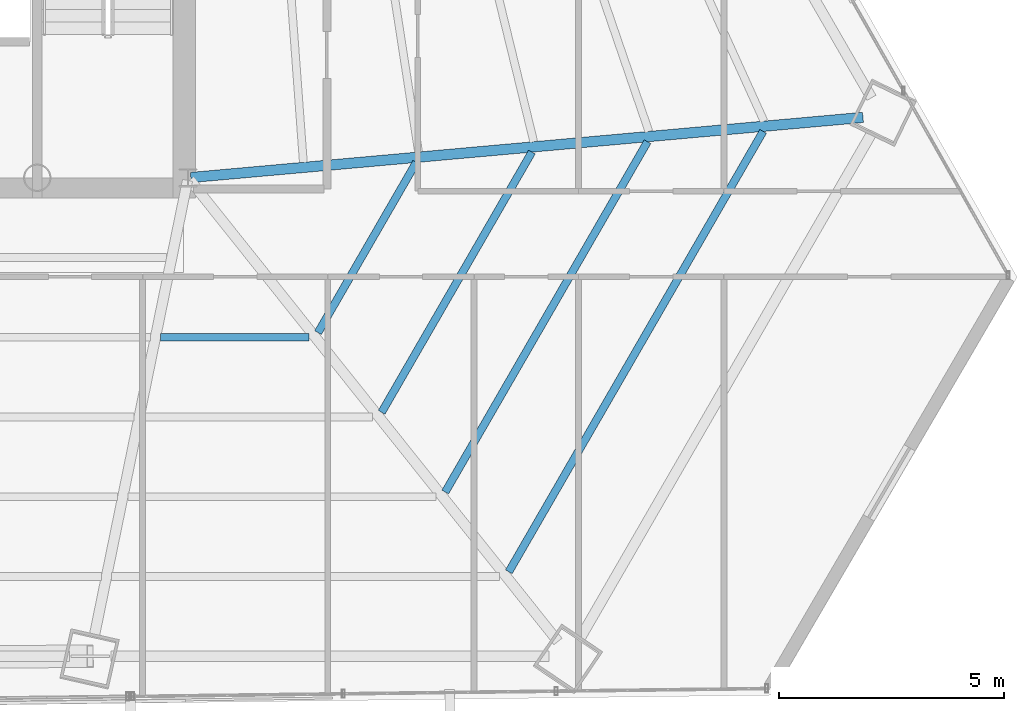
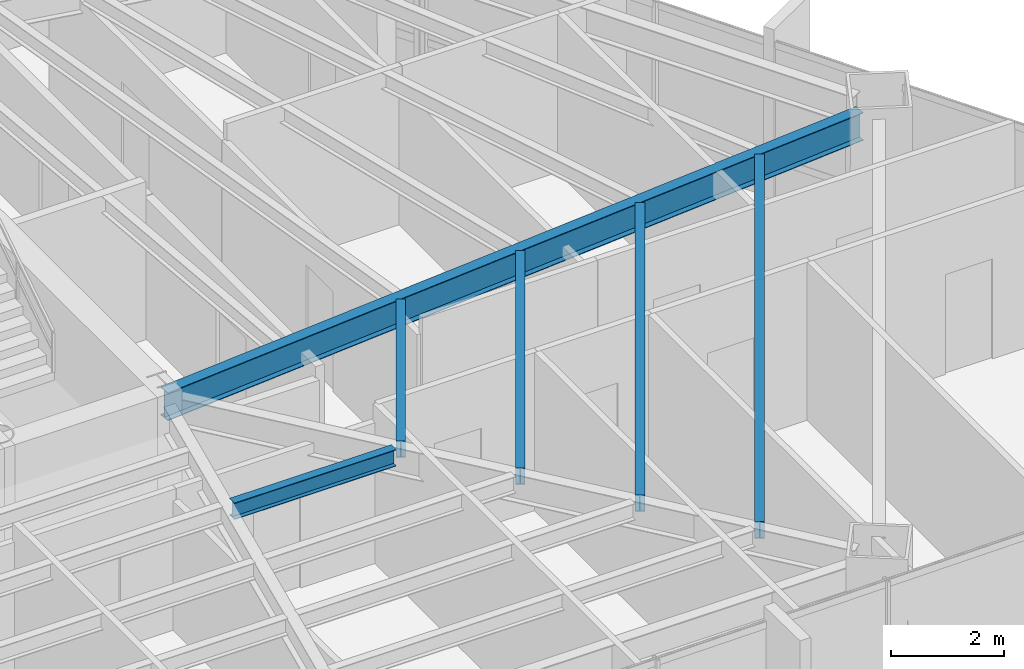
# One storey, part 17 of 35: 6 beams.
"""IFC4 building model written with IfcOpenShell, lengths in metres."""

from ifc_helpers import new_model, si_unit, direction, frame, origin, origin_2d, place, context, subcontext, project, spatial, i_section, extrude, source, transform, mapped, material, material_profile, profile_set, type_object, type_shapes, element, save


model = new_model("IFC4")

# Units and contexts
model_context = context("Model", 3, precision=1e-05, world=origin(), true_north=direction((0.0, 1.0)))
body_context = subcontext(model_context, "Body", "Model", "MODEL_VIEW")
ifc_project = project(units=[si_unit("LENGTHUNIT", "METRE"), si_unit("AREAUNIT", "SQUARE_METRE"), si_unit("VOLUMEUNIT", "CUBIC_METRE"), si_unit("PLANEANGLEUNIT", "RADIAN"), si_unit("MASSUNIT", "GRAM", prefix="KILO")], contexts=[model_context])

# Site, building, storey
site_placement = place(None, origin())
site = spatial("IfcSite", under=ifc_project, at=site_placement, CompositionType="ELEMENT")
building_placement = place(site_placement, origin())
building = spatial("IfcBuilding", under=site, at=building_placement, Name="Caelisora Broadcast Tower", CompositionType="ELEMENT")
storey_placement = place(building_placement, frame((0.0, 0.0, 123.64990234375)))
storey = spatial("IfcBuildingStorey", under=building, at=storey_placement, Name="L32", CompositionType="ELEMENT", Elevation=123.64990234375)

# Beams
ifc_material = material(Name="Steel Grade 350 (AS/NZS 3679.1)", Category="steel")
ifc_material_profile_1 = material_profile(ifc_material, i_section(OverallWidth=0.22802734375, OverallDepth=0.602294921875, WebThickness=0.010498046875, FlangeThickness=0.014892578125, at=origin_2d()), Name="Steel Grade 350 (AS/NZS 3679.1)")
ifc_profile_set_1 = profile_set([ifc_material_profile_1], Name="Steel Grade 350 (AS/NZS 3679.1)")
beam_type_1 = type_object("IfcBeamType", Name="PG04", PredefinedType="BEAM", material=ifc_profile_set_1)
shared_shape_1 = source(origin(), body_context, "Body", "SweptSolid", [
    extrude(i_section(OverallWidth=0.22802734375, OverallDepth=0.602294921875, WebThickness=0.010498046875, FlangeThickness=0.014892578125, at=origin_2d()), origin(), (0.0, 0.0, 1.0), 14.986572265625),
])
type_shapes(beam_type_1, [shared_shape_1])
beam_1_placement = place(storey_placement, frame((45.559814453125, 17.4052734375, 3.098876953125), z_axis=(0.996024733361, 0.089077104431, 0.0), x_axis=(-0.089077104431, 0.996024733361, 0.0)))
element("IfcBeam", 1, at=beam_1_placement, inside=storey, type_object=beam_type_1, Name="L32 beam PG04", PredefinedType="BEAM", context=body_context, shape_type="MappedRepresentation", body=[
    mapped(shared_shape_1, transform((0.0, 0.0, 0.0), scale=1.0)),
])
ifc_material_profile_2 = material_profile(ifc_material, i_section(OverallWidth=0.172119140625, OverallDepth=0.358642578125, WebThickness=0.008056640625, FlangeThickness=0.012939453125, at=origin_2d()), Name="Steel Grade 350 (AS/NZS 3679.1)")
ifc_profile_set_2 = profile_set([ifc_material_profile_2], Name="Steel Grade 350 (AS/NZS 3679.1)")
beam_type_2 = type_object("IfcBeamType", Name="SB02", PredefinedType="JOIST", material=ifc_profile_set_2)
shared_shape_2 = source(origin(), body_context, "Body", "SweptSolid", [
    extrude(i_section(OverallWidth=0.172119140625, OverallDepth=0.358642578125, WebThickness=0.008056640625, FlangeThickness=0.012939453125, at=origin_2d()), origin(), (0.0, 0.0, 1.0), 4.364013671875),
])
beam_2_placement = place(storey_placement, frame((48.384765625, 13.9619140625, 3.220703125), z_axis=(0.50002592273, 0.866010436772, 0.0), x_axis=(-0.866010436772, 0.50002592273, 0.0)))
element("IfcBeam", 2, at=beam_2_placement, inside=storey, type_object=beam_type_2, Name="L32 beam SB02", PredefinedType="JOIST", context=body_context, shape_type="MappedRepresentation", body=[
    mapped(shared_shape_2, transform((0.0, 0.0, 0.0), scale=1.0)),
])
shared_shape_3 = source(origin(), body_context, "Body", "SweptSolid", [
    extrude(i_section(OverallWidth=0.172119140625, OverallDepth=0.358642578125, WebThickness=0.008056640625, FlangeThickness=0.012939453125, at=origin_2d()), origin(), (0.0, 0.0, 1.0), 6.673828125),
])
beam_3_placement = place(storey_placement, frame((49.79736328125, 12.19091796875, 3.220703125), z_axis=(0.499994779655, 0.866028417731, 0.0), x_axis=(-0.866028417731, 0.499994779655, 0.0)))
element("IfcBeam", 3, at=beam_3_placement, inside=storey, type_object=beam_type_2, Name="L32 beam SB02", PredefinedType="JOIST", context=body_context, shape_type="MappedRepresentation", body=[
    mapped(shared_shape_3, transform((0.0, 0.0, 0.0), scale=1.0)),
])
shared_shape_4 = source(origin(), body_context, "Body", "SweptSolid", [
    extrude(i_section(OverallWidth=0.172119140625, OverallDepth=0.358642578125, WebThickness=0.008056640625, FlangeThickness=0.012939453125, at=origin_2d()), origin(), (0.0, 0.0, 1.0), 8.98388671875),
])
beam_4_placement = place(storey_placement, frame((51.209716796875, 10.419921875, 3.220703125), z_axis=(0.500020414175, 0.866013617334, 0.0), x_axis=(-0.866013617334, 0.500020414175, 0.0)))
element("IfcBeam", 4, at=beam_4_placement, inside=storey, type_object=beam_type_2, Name="L32 beam SB02", PredefinedType="JOIST", context=body_context, shape_type="MappedRepresentation", body=[
    mapped(shared_shape_4, transform((0.0, 0.0, 0.0), scale=1.0)),
])
shared_shape_5 = source(origin(), body_context, "Body", "SweptSolid", [
    extrude(i_section(OverallWidth=0.172119140625, OverallDepth=0.358642578125, WebThickness=0.008056640625, FlangeThickness=0.012939453125, at=origin_2d()), origin(), (0.0, 0.0, 1.0), 11.2939453125),
])
beam_5_placement = place(storey_placement, frame((52.622314453125, 8.649169921875, 3.220703125), z_axis=(0.500003137431, 0.86602359238, 0.0), x_axis=(-0.86602359238, 0.500003137431, 0.0)))
element("IfcBeam", 5, at=beam_5_placement, inside=storey, type_object=beam_type_2, Name="L32 beam SB02", PredefinedType="JOIST", context=body_context, shape_type="MappedRepresentation", body=[
    mapped(shared_shape_5, transform((0.0, 0.0, 0.0), scale=1.0)),
])
shared_shape_6 = source(origin(), body_context, "Body", "SweptSolid", [
    extrude(i_section(OverallWidth=0.172119140625, OverallDepth=0.358642578125, WebThickness=0.008056640625, FlangeThickness=0.012939453125, at=origin_2d()), origin(), (0.0, 0.0, 1.0), 3.293701171875),
])
type_shapes(beam_type_2, [shared_shape_2, shared_shape_3, shared_shape_4, shared_shape_5, shared_shape_6])
beam_6_placement = place(storey_placement, frame((44.888427734375, 13.8583984375, 3.220703125), z_axis=(1.0, 0.0, 0.0), x_axis=(0.0, 1.0, 0.0)))
element("IfcBeam", 6, at=beam_6_placement, inside=storey, type_object=beam_type_2, Name="L32 beam SB02", PredefinedType="JOIST", context=body_context, shape_type="MappedRepresentation", body=[
    mapped(shared_shape_6, transform((0.0, 0.0, 0.0), scale=1.0)),
])

save(model, "model.ifc")
